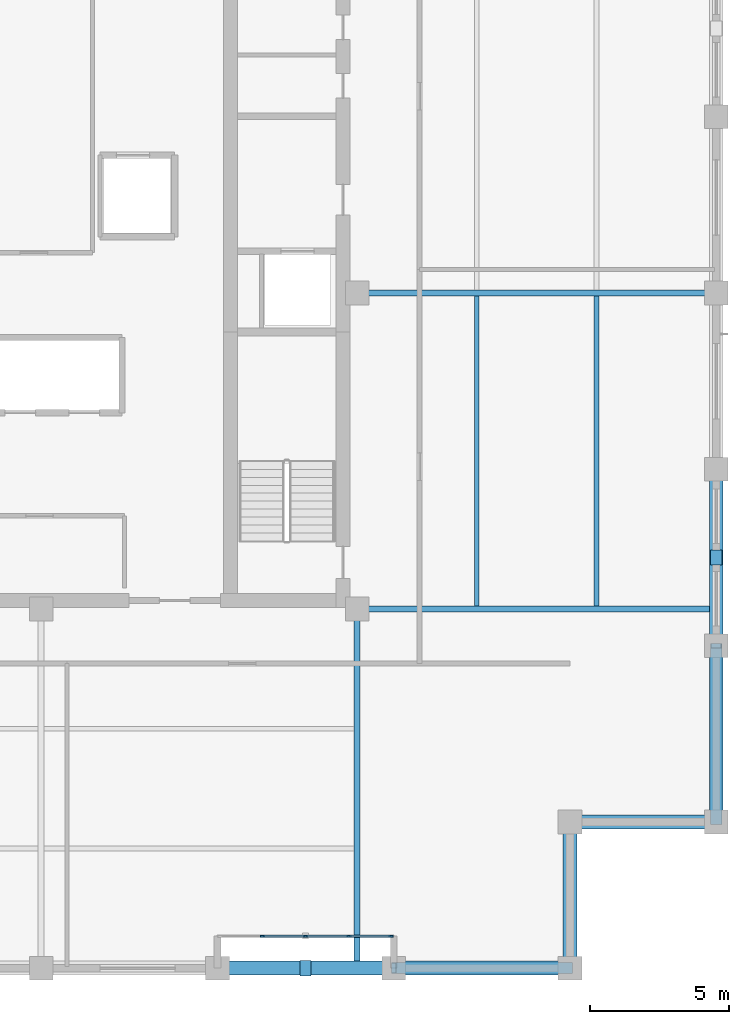
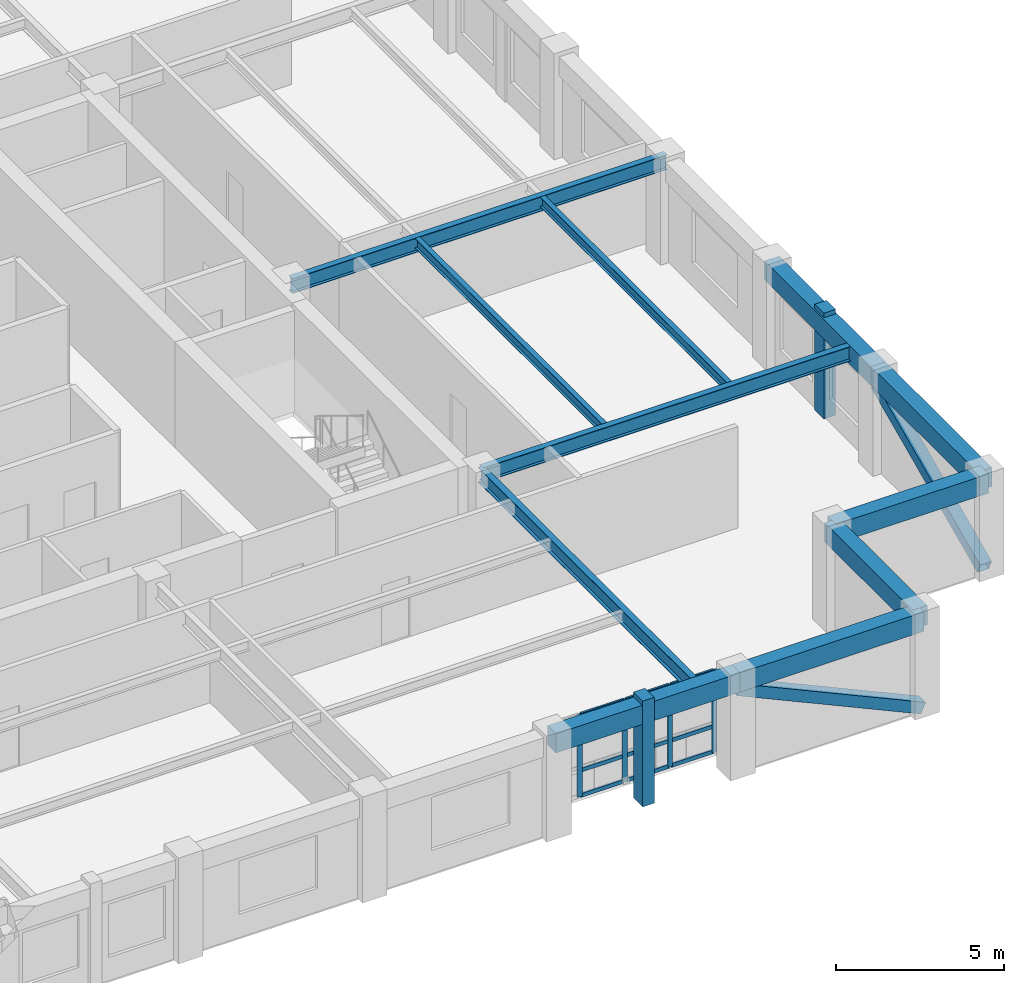
# One storey, part 4 of 13: 17 members, 11 beams, 1 element without a shape of its own.
"""IFC4 building model written with IfcOpenShell, lengths in metres."""

from ifc_helpers import new_model, si_unit, direction, frame, origin, origin_2d, place, context, subcontext, project, spatial, rectangle, hollow_rectangle, i_section, extrude, material, layer, layer_set, material_profile, profile_set, type_object, element, aggregate, save


model = new_model("IFC4")

# Units and contexts
model_context = context("Model", 3, precision=1e-05, world=origin(), true_north=direction((0.0, 1.0)))
body_context = subcontext(model_context, "Body", "Model", "MODEL_VIEW")
ifc_project = project(units=[si_unit("LENGTHUNIT", "METRE"), si_unit("AREAUNIT", "SQUARE_METRE"), si_unit("VOLUMEUNIT", "CUBIC_METRE"), si_unit("PLANEANGLEUNIT", "RADIAN"), si_unit("MASSUNIT", "GRAM", prefix="KILO")], contexts=[model_context])

# Site, building, storey
site_placement = place(None, origin())
site = spatial("IfcSite", under=ifc_project, at=site_placement, CompositionType="ELEMENT")
building_placement = place(site_placement, origin())
building = spatial("IfcBuilding", under=site, at=building_placement, Name="Nhamokura Convention Tower", CompositionType="ELEMENT")
storey_placement = place(building_placement, frame((0.0, 0.0, 213.85009765625)))
storey = spatial("IfcBuildingStorey", under=building, at=storey_placement, Name="L52", CompositionType="ELEMENT", Elevation=213.85009765625)

# Members
ifc_material_1 = material(Name="Bronze-pigmented precast concrete C45/55", Category="concrete")
ifc_material_profile_1 = material_profile(ifc_material_1, rectangle(XDim=0.39990234375, YDim=0.550048828125, at=origin_2d()))
ifc_profile_set_1 = profile_set([ifc_material_profile_1], Name="Bronze-pigmented precast concrete C45/55")
member_type_1 = type_object("IfcMemberType", Name="BronzePilaster_550", PredefinedType="USERDEFINED", material=ifc_profile_set_1)
for number, where, z_axis, x_axis, name in (
    (1, (41.5, 7.75, 0.0), (0.0, 0.0, 1.0), (1.0, 0.0, 0.0), "L52 Engaged Frame Pilaster SOUTH 4"),
    (2, (56.25, 22.5, 0.0), (0.0, 0.0, 1.0), (1.0, 0.0, 0.0), "L52 Engaged Frame Pilaster EAST 1"),
):
    element("IfcMember", number, at=place(storey_placement, frame(where, z_axis=z_axis, x_axis=x_axis)), inside=storey, type_object=member_type_1, Name=name, ObjectType="PILASTER_TRIM", PredefinedType="USERDEFINED", context=body_context, shape_type="SweptSolid", body=[
        extrude(rectangle(XDim=0.39990234375, YDim=0.550048828125, at=origin_2d()), origin(), (0.0, 0.0, 1.0), 3.849853515625),
    ])

# Curtain wall, members
ifc_material_2 = material(Name="Anodised bronze aluminium AA6063-T6", Category="aluminium")
ifc_layer = layer(ifc_material_2, 0.155029296875)
ifc_layer_set = layer_set([ifc_layer], Name="CWSystem_ScaleSlot_Zone3")
curtain_wall_type = type_object("IfcCurtainWallType", Name="CWSystem_ScaleSlot_Zone3", PredefinedType="NOTDEFINED", material=ifc_layer_set)
curtain_wall_placement = place(storey_placement, origin())
curtain_wall = element("IfcCurtainWall", 3, at=curtain_wall_placement, inside=storey, type_object=curtain_wall_type, Name="L52 Curtain Wall ENV-L52-SLOT-S4", PredefinedType="NOTDEFINED")
ifc_material_3 = material(Name="Anodised bronze aluminium AA6063-T6", Category="aluminium")
ifc_material_profile_2 = material_profile(ifc_material_3, rectangle(XDim=0.06494140625, YDim=0.1650390625, at=origin_2d()))
ifc_profile_set_2 = profile_set([ifc_material_profile_2], Name="Anodised bronze aluminium AA6063-T6")
member_type_2 = type_object("IfcMemberType", Name="CWMullion_3", PredefinedType="MULLION", material=ifc_profile_set_2)
member_1_placement = place(storey_placement, frame((44.57421875, 8.89990234375, 0.0), z_axis=(0.0, 0.0, 1.0), x_axis=(0.0, -1.0, 0.0)))
member_1 = element("IfcMember", 4, at=member_1_placement, type_object=member_type_2, Name="CW-05 mullion 1", PredefinedType="MULLION", context=body_context, shape_type="SweptSolid", body=[
    extrude(rectangle(XDim=0.06494140625, YDim=0.1650390625, at=origin_2d()), origin(), (0.0, 0.0, 1.0), 2.98486328125),
])
member_2_placement = place(storey_placement, frame((43.053466796875, 8.89990234375, 0.0), z_axis=(0.0, 0.0, 1.0), x_axis=(0.0, -1.0, 0.0)))
member_2 = element("IfcMember", 5, at=member_2_placement, type_object=member_type_2, Name="CW-05 mullion 2", PredefinedType="MULLION", context=body_context, shape_type="SweptSolid", body=[
    extrude(rectangle(XDim=0.06494140625, YDim=0.1650390625, at=origin_2d()), origin(), (0.0, 0.0, 1.0), 2.98486328125),
])
member_3_placement = place(storey_placement, frame((41.5, 8.89990234375, 0.0), z_axis=(0.0, 0.0, 1.0), x_axis=(0.0, -1.0, 0.0)))
member_3 = element("IfcMember", 6, at=member_3_placement, type_object=member_type_2, Name="CW-05 mullion 3", PredefinedType="MULLION", context=body_context, shape_type="SweptSolid", body=[
    extrude(rectangle(XDim=0.06494140625, YDim=0.1650390625, at=origin_2d()), origin(), (0.0, 0.0, 1.0), 2.98486328125),
])
member_4_placement = place(storey_placement, frame((39.946533203125, 8.89990234375, 0.0), z_axis=(0.0, 0.0, 1.0), x_axis=(0.0, -1.0, 0.0)))
member_4 = element("IfcMember", 7, at=member_4_placement, type_object=member_type_2, Name="CW-05 mullion 4", PredefinedType="MULLION", context=body_context, shape_type="SweptSolid", body=[
    extrude(rectangle(XDim=0.06494140625, YDim=0.1650390625, at=origin_2d()), origin(), (0.0, 0.0, 1.0), 2.98486328125),
])
ifc_material_4 = material(Name="Anodised bronze aluminium AA6063-T6", Category="aluminium")
ifc_material_profile_3 = material_profile(ifc_material_4, rectangle(XDim=0.06494140625, YDim=0.139892578125, at=origin_2d()))
ifc_profile_set_3 = profile_set([ifc_material_profile_3], Name="Anodised bronze aluminium AA6063-T6")
member_type_3 = type_object("IfcMemberType", Name="CWTransom_3", PredefinedType="USERDEFINED", material=ifc_profile_set_3)
member_5_placement = place(storey_placement, frame((44.541748046875, 8.89990234375, 0.032470703125), z_axis=(-1.0, 0.0, 0.0), x_axis=(0.0, -1.0, 0.0)))
member_5 = element("IfcMember", 8, at=member_5_placement, type_object=member_type_3, Name="CW-05 transom 1.1", ObjectType="TRANSOM", PredefinedType="USERDEFINED", context=body_context, shape_type="SweptSolid", body=[
    extrude(rectangle(XDim=0.06494140625, YDim=0.139892578125, at=origin_2d()), origin(), (0.0, 0.0, 1.0), 1.455810546875),
])
member_6_placement = place(storey_placement, frame((44.541748046875, 8.89990234375, 0.949951171875), z_axis=(-1.0, 0.0, 0.0), x_axis=(0.0, -1.0, 0.0)))
member_6 = element("IfcMember", 9, at=member_6_placement, type_object=member_type_3, Name="CW-05 transom 1.2", ObjectType="TRANSOM", PredefinedType="USERDEFINED", context=body_context, shape_type="SweptSolid", body=[
    extrude(rectangle(XDim=0.06494140625, YDim=0.139892578125, at=origin_2d()), origin(), (0.0, 0.0, 1.0), 1.455810546875),
])
member_7_placement = place(storey_placement, frame((44.541748046875, 8.89990234375, 2.952392578125), z_axis=(-1.0, 0.0, 0.0), x_axis=(0.0, -1.0, 0.0)))
member_7 = element("IfcMember", 10, at=member_7_placement, type_object=member_type_3, Name="CW-05 transom 1.3", ObjectType="TRANSOM", PredefinedType="USERDEFINED", context=body_context, shape_type="SweptSolid", body=[
    extrude(rectangle(XDim=0.06494140625, YDim=0.139892578125, at=origin_2d()), origin(), (0.0, 0.0, 1.0), 1.455810546875),
])
member_8_placement = place(storey_placement, frame((43.020751953125, 8.89990234375, 0.032470703125), z_axis=(-1.0, 0.0, 0.0), x_axis=(0.0, -1.0, 0.0)))
member_8 = element("IfcMember", 11, at=member_8_placement, type_object=member_type_3, Name="CW-05 transom 2.1", ObjectType="TRANSOM", PredefinedType="USERDEFINED", context=body_context, shape_type="SweptSolid", body=[
    extrude(rectangle(XDim=0.06494140625, YDim=0.139892578125, at=origin_2d()), origin(), (0.0, 0.0, 1.0), 1.48828125),
])
member_9_placement = place(storey_placement, frame((43.020751953125, 8.89990234375, 0.949951171875), z_axis=(-1.0, 0.0, 0.0), x_axis=(0.0, -1.0, 0.0)))
member_9 = element("IfcMember", 12, at=member_9_placement, type_object=member_type_3, Name="CW-05 transom 2.2", ObjectType="TRANSOM", PredefinedType="USERDEFINED", context=body_context, shape_type="SweptSolid", body=[
    extrude(rectangle(XDim=0.06494140625, YDim=0.139892578125, at=origin_2d()), origin(), (0.0, 0.0, 1.0), 1.48828125),
])
member_10_placement = place(storey_placement, frame((43.020751953125, 8.89990234375, 2.952392578125), z_axis=(-1.0, 0.0, 0.0), x_axis=(0.0, -1.0, 0.0)))
member_10 = element("IfcMember", 13, at=member_10_placement, type_object=member_type_3, Name="CW-05 transom 2.3", ObjectType="TRANSOM", PredefinedType="USERDEFINED", context=body_context, shape_type="SweptSolid", body=[
    extrude(rectangle(XDim=0.06494140625, YDim=0.139892578125, at=origin_2d()), origin(), (0.0, 0.0, 1.0), 1.48828125),
])
member_11_placement = place(storey_placement, frame((41.467529296875, 8.89990234375, 0.032470703125), z_axis=(-1.0, 0.0, 0.0), x_axis=(0.0, -1.0, 0.0)))
member_11 = element("IfcMember", 14, at=member_11_placement, type_object=member_type_3, Name="CW-05 transom 3.1", ObjectType="TRANSOM", PredefinedType="USERDEFINED", context=body_context, shape_type="SweptSolid", body=[
    extrude(rectangle(XDim=0.06494140625, YDim=0.139892578125, at=origin_2d()), origin(), (0.0, 0.0, 1.0), 1.48828125),
])
member_12_placement = place(storey_placement, frame((41.467529296875, 8.89990234375, 0.949951171875), z_axis=(-1.0, 0.0, 0.0), x_axis=(0.0, -1.0, 0.0)))
member_12 = element("IfcMember", 15, at=member_12_placement, type_object=member_type_3, Name="CW-05 transom 3.2", ObjectType="TRANSOM", PredefinedType="USERDEFINED", context=body_context, shape_type="SweptSolid", body=[
    extrude(rectangle(XDim=0.06494140625, YDim=0.139892578125, at=origin_2d()), origin(), (0.0, 0.0, 1.0), 1.48828125),
])
member_13_placement = place(storey_placement, frame((41.467529296875, 8.89990234375, 2.952392578125), z_axis=(-1.0, 0.0, 0.0), x_axis=(0.0, -1.0, 0.0)))
member_13 = element("IfcMember", 16, at=member_13_placement, type_object=member_type_3, Name="CW-05 transom 3.3", ObjectType="TRANSOM", PredefinedType="USERDEFINED", context=body_context, shape_type="SweptSolid", body=[
    extrude(rectangle(XDim=0.06494140625, YDim=0.139892578125, at=origin_2d()), origin(), (0.0, 0.0, 1.0), 1.48828125),
])
aggregate(curtain_wall, [member_1, member_2, member_3, member_4, member_5, member_6, member_7, member_8, member_9, member_10, member_11, member_12, member_13])

# Beams
ifc_material_5 = material(Name="Steel ASTM A992 Gr 50", Category="steel")
ifc_material_profile_4 = material_profile(ifc_material_5, i_section(OverallWidth=0.172119140625, OverallDepth=0.35791015625, WebThickness=0.0078125, FlangeThickness=0.01318359375, at=origin_2d()))
ifc_profile_set_4 = profile_set([ifc_material_profile_4], Name="Steel ASTM A992 Gr 50")
beam_type_1 = type_object("IfcBeamType", Name="FloorJoist_W360X57", PredefinedType="JOIST", material=ifc_profile_set_4)
for number, where, z_axis, x_axis, name in (
    (17, (47.64990234375, 20.75341796875, 3.505859375), (0.0, 1.0, 0.0), (-1.0, 0.0, 0.0), "L52 Composite Floor Joist E1A"),
    (18, (51.949951171875, 20.75341796875, 3.505859375), (0.0, 1.0, 0.0), (-1.0, 0.0, 0.0), "L52 Composite Floor Joist E2A"),
):
    element("IfcBeam", number, at=place(storey_placement, frame(where, z_axis=z_axis, x_axis=x_axis)), inside=storey, type_object=beam_type_1, Name=name, PredefinedType="JOIST", context=body_context, shape_type="SweptSolid", body=[
        extrude(i_section(OverallWidth=0.172119140625, OverallDepth=0.35791015625, WebThickness=0.0078125, FlangeThickness=0.01318359375, at=origin_2d()), origin(), (0.0, 0.0, 1.0), 11.14306640625),
    ])
ifc_material_6 = material(Name="Steel ASTM A992 Gr 50", Category="steel")
ifc_material_profile_5 = material_profile(ifc_material_6, i_section(OverallWidth=0.2109375, OverallDepth=0.5390625, WebThickness=0.01171875, FlangeThickness=0.018798828125, at=origin_2d()))
ifc_profile_set_5 = profile_set([ifc_material_profile_5], Name="Steel ASTM A992 Gr 50")
beam_type_2 = type_object("IfcBeamType", Name="PrimaryGirder_W530X109", PredefinedType="BEAM", material=ifc_profile_set_5)
for number, where, z_axis, x_axis, name in (
    (19, (43.35009765625, 7.75, 3.415283203125), (0.0, 1.0, 0.0), (-1.0, 0.0, 0.0), "L52 Primary Floor Girder PG-S3"),
    (20, (43.35009765625, 20.64990234375, 3.415283203125), (1.0, 0.0, 0.0), (0.0, 1.0, 0.0), "L52 Primary Floor Girder PG-E1"),
    (21, (43.35009765625, 32.0, 3.415283203125), (1.0, 0.0, 0.0), (0.0, 1.0, 0.0), "L52 Primary Floor Girder PG-E2"),
):
    element("IfcBeam", number, at=place(storey_placement, frame(where, z_axis=z_axis, x_axis=x_axis)), inside=storey, type_object=beam_type_2, Name=name, PredefinedType="BEAM", context=body_context, shape_type="SweptSolid", body=[
        extrude(i_section(OverallWidth=0.2109375, OverallDepth=0.5390625, WebThickness=0.01171875, FlangeThickness=0.018798828125, at=origin_2d()), origin(), (0.0, 0.0, 1.0), 12.89990234375),
    ])

# Members
ifc_material_7 = material(Name="Steel ASTM A572 Gr 50", Category="steel")
ifc_material_profile_6 = material_profile(ifc_material_7, hollow_rectangle(XDim=0.39990234375, YDim=0.39990234375, WallThickness=0.02001953125, at=origin_2d()))
ifc_profile_set_6 = profile_set([ifc_material_profile_6], Name="Steel ASTM A572 Gr 50")
member_type_4 = type_object("IfcMemberType", Name="TubeBrace_HSS400", PredefinedType="BRACE", material=ifc_profile_set_6)
for number, where, z_axis, x_axis, name in (
    (22, (51.0, 7.75, 0.14990234375), (-0.910027379678, 0.0, 0.41454814948), (0.0, -1.0, 0.0), "L52 Perimeter Tube Brace SOUTH Bay 5"),
    (23, (56.25, 13.0, 0.14990234375), (0.0, 0.910027379678, 0.41454814948), (-1.0, 0.0, 0.0), "L52 Perimeter Tube Brace EAST Bay 0"),
):
    element("IfcMember", number, at=place(storey_placement, frame(where, z_axis=z_axis, x_axis=x_axis)), inside=storey, type_object=member_type_4, Name=name, PredefinedType="BRACE", context=body_context, shape_type="SweptSolid", body=[
        extrude(hollow_rectangle(XDim=0.39990234375, YDim=0.39990234375, WallThickness=0.02001953125, at=origin_2d()), origin(), (0.0, 0.0, 1.0), 6.95947265625),
    ])

# Beams
ifc_material_8 = material(Name="Concrete C50/60", Category="concrete")
ifc_material_profile_7 = material_profile(ifc_material_8, rectangle(XDim=0.5, YDim=0.699951171875, at=origin_2d()))
ifc_profile_set_7 = profile_set([ifc_material_profile_7], Name="Concrete C50/60")
beam_type_3 = type_object("IfcBeamType", Name="TubeSpandrel_700", PredefinedType="SPANDREL", material=ifc_profile_set_7)
beam_1_placement = place(storey_placement, frame((38.333251953125, 7.75, 3.3349609375), z_axis=(1.0, 0.0, 0.0), x_axis=(0.0, 1.0, 0.0)))
element("IfcBeam", 24, at=beam_1_placement, inside=storey, type_object=beam_type_3, Name="L52 Perimeter Spandrel SOUTH 5", PredefinedType="SPANDREL", context=body_context, shape_type="SweptSolid", body=[
    extrude(rectangle(XDim=0.5, YDim=0.699951171875, at=origin_2d()), origin(), (0.0, 0.0, 1.0), 6.33349609375),
])
for number, where, z_axis, x_axis, name in (
    (25, (44.666748046875, 7.75, 3.3349609375), (1.0, 0.0, 0.0), (0.0, 1.0, 0.0), "L52 Perimeter Spandrel SOUTH 6"),
    (26, (56.25, 13.0, 3.3349609375), (0.0, 1.0, 0.0), (-1.0, 0.0, 0.0), "L52 Perimeter Spandrel EAST 1"),
):
    element("IfcBeam", number, at=place(storey_placement, frame(where, z_axis=z_axis, x_axis=x_axis)), inside=storey, type_object=beam_type_3, Name=name, PredefinedType="SPANDREL", context=body_context, shape_type="SweptSolid", body=[
        extrude(rectangle(XDim=0.5, YDim=0.699951171875, at=origin_2d()), origin(), (0.0, 0.0, 1.0), 6.333251953125),
    ])
beam_2_placement = place(storey_placement, frame((56.25, 19.333251953125, 3.3349609375), z_axis=(0.0, 1.0, 0.0), x_axis=(-1.0, 0.0, 0.0)))
element("IfcBeam", 27, at=beam_2_placement, inside=storey, type_object=beam_type_3, Name="L52 Perimeter Spandrel EAST 2", PredefinedType="SPANDREL", context=body_context, shape_type="SweptSolid", body=[
    extrude(rectangle(XDim=0.5, YDim=0.699951171875, at=origin_2d()), origin(), (0.0, 0.0, 1.0), 6.33349609375),
])
for number, where, z_axis, x_axis, name in (
    (28, (51.0, 7.75, 3.3349609375), (0.0, 1.0, 0.0), (-1.0, 0.0, 0.0), "L52 Notch Spandrel SE1"),
    (29, (51.0, 13.0, 3.3349609375), (1.0, 0.0, 0.0), (0.0, 1.0, 0.0), "L52 Notch Spandrel SE2"),
):
    element("IfcBeam", number, at=place(storey_placement, frame(where, z_axis=z_axis, x_axis=x_axis)), inside=storey, type_object=beam_type_3, Name=name, PredefinedType="SPANDREL", context=body_context, shape_type="SweptSolid", body=[
        extrude(rectangle(XDim=0.5, YDim=0.699951171875, at=origin_2d()), origin(), (0.0, 0.0, 1.0), 5.25),
    ])

save(model, "model.ifc")
